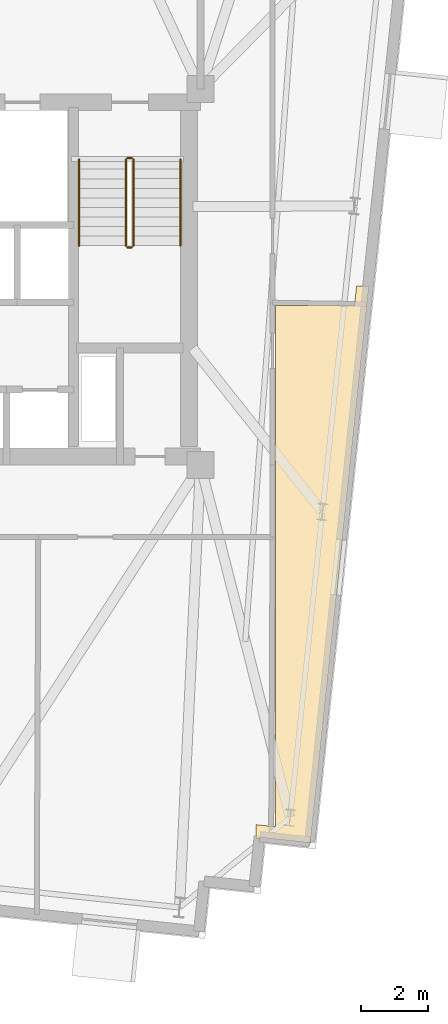
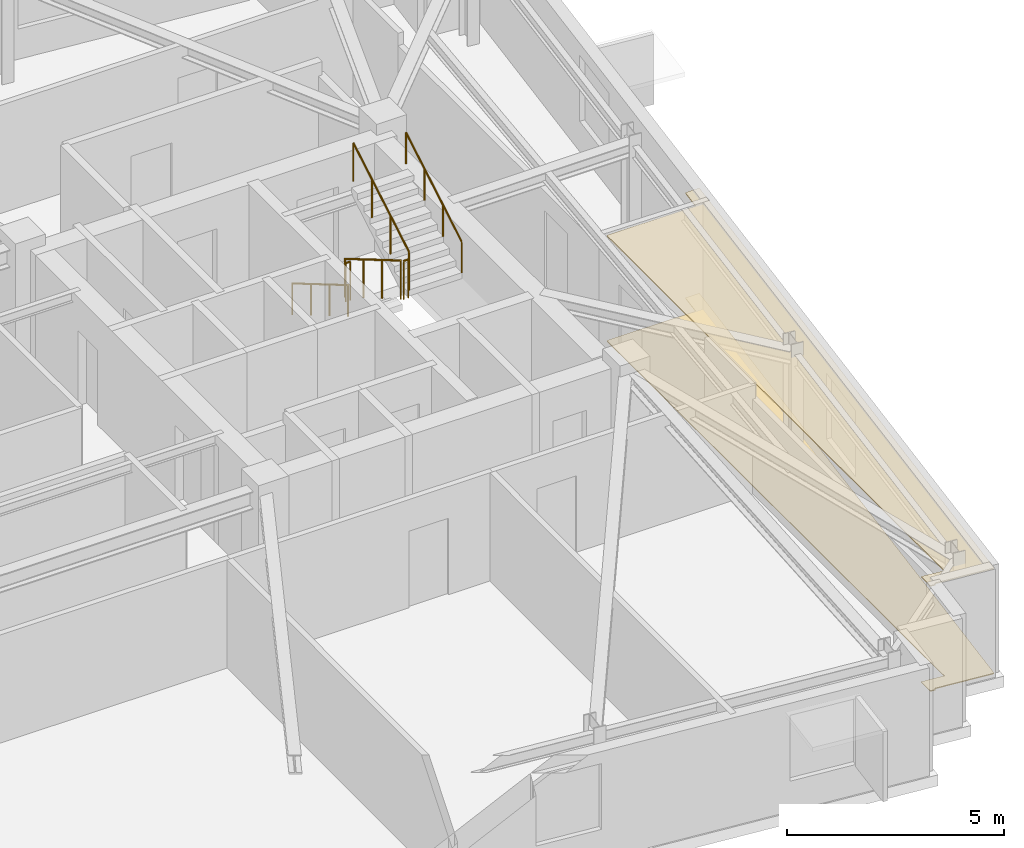
# One storey, part 12 of 13: 6 railings, 2 coverings.
"""IFC4 building model written with IfcOpenShell, lengths in metres."""

import ifcopenshell
import ifcopenshell.guid

model = None  # the IFC model being written
_history = None  # IfcOwnerHistory: only IFC2X3 demands one
_inside = {}  # id of a spatial element -> (the spatial element, [elements in it])
_under = {}  # id of a project, library or spatial element -> (it, [spatial elements below it])
_declared = {}  # id of a project -> (the project, [libraries it declares])
_typed = {}  # id of a type object -> (the type object, [elements of that type])
_made_of = {}  # id of a material, layer set ... -> (it, [elements and type objects made of it])


def new_model(schema):
    """Start an empty IFC model of exactly this schema.

    Asked for "IFC4X3", IfcOpenShell would pick the latest addendum, in which some entities
    have other attributes; the version numbers below select the first issue.
    IFC2X3 requires an IfcOwnerHistory on every rooted entity: one is made here for all.
    """
    global model, _history
    if schema == "IFC4X3":
        model = ifcopenshell.file(schema_version=(4, 3, 0, 0))
    else:
        model = ifcopenshell.file(schema=schema)
    _inside.clear()
    _under.clear()
    _declared.clear()
    _typed.clear()
    _made_of.clear()
    _history = None
    if model.schema == "IFC2X3":
        org = make("IfcOrganization", Name="unknown")
        user = make(
            "IfcPersonAndOrganization",
            ThePerson=make("IfcPerson", FamilyName="unknown"),
            TheOrganization=org,
        )
        app = make(
            "IfcApplication",
            ApplicationDeveloper=org,
            Version="unknown",
            ApplicationFullName="unknown",
            ApplicationIdentifier="unknown",
        )
        _history = make(
            "IfcOwnerHistory",
            OwningUser=user,
            OwningApplication=app,
            ChangeAction="ADDED",
            CreationDate=0,
        )
    return model


def make(cls, **values):
    """One entity of the class cls with the attributes given. An attribute that is None is left unset."""
    return model.create_entity(
        cls, **{name: value for name, value in values.items() if value is not None}
    )


def rooted(cls, **values):
    """An entity with a GlobalId (a new one), such as an element, a storey or a relation."""
    return make(cls, GlobalId=ifcopenshell.guid.new(), OwnerHistory=_history, **values)


def si_unit(unit_type, name, prefix=None):
    """IfcSIUnit, for example si_unit("LENGTHUNIT", "METRE", prefix="MILLI")."""
    return make("IfcSIUnit", UnitType=unit_type, Prefix=prefix, Name=name)


def assignment(units):
    """IfcUnitAssignment: the units of a project."""
    return None if units is None else make("IfcUnitAssignment", Units=units)


def point(xyz):
    """IfcCartesianPoint."""
    return None if xyz is None else make("IfcCartesianPoint", Coordinates=xyz)


def direction(xyz):
    """IfcDirection."""
    return None if xyz is None else make("IfcDirection", DirectionRatios=xyz)


def frame(location, z_axis=None, x_axis=None):
    """IfcAxis2Placement3D, a coordinate frame: its origin and axes. An axis left out is left unset."""
    return make(
        "IfcAxis2Placement3D",
        Location=point(location),
        Axis=direction(z_axis),
        RefDirection=direction(x_axis),
    )


def frame_2d(location, x_axis=None):
    """IfcAxis2Placement2D, a coordinate frame in the plane: its origin and x axis."""
    return make(
        "IfcAxis2Placement2D", Location=point(location), RefDirection=direction(x_axis)
    )


def origin():
    """The frame at (0, 0, 0) with its axes left unset."""
    return frame((0.0, 0.0, 0.0))


def origin_2d():
    """The frame at (0, 0) in the plane with its x axis left unset."""
    return frame_2d((0.0, 0.0))


def place(relative_to, where):
    """IfcLocalPlacement: puts the frame where relative to a parent placement (None: the world)."""
    return make(
        "IfcLocalPlacement", PlacementRelTo=relative_to, RelativePlacement=where
    )


def context(
    kind, dimensions, precision=None, world=None, true_north=None, identifier=None
):
    """IfcGeometricRepresentationContext, for example the 3D "Model" context."""
    return make(
        "IfcGeometricRepresentationContext",
        ContextIdentifier=identifier,
        ContextType=kind,
        CoordinateSpaceDimension=dimensions,
        Precision=precision,
        WorldCoordinateSystem=world,
        TrueNorth=true_north,
    )


def subcontext(parent, identifier, kind, view, scale=None):
    """IfcGeometricRepresentationSubContext, for example "Body" below "Model"."""
    return make(
        "IfcGeometricRepresentationSubContext",
        ContextIdentifier=identifier,
        ContextType=kind,
        ParentContext=parent,
        TargetScale=scale,
        TargetView=view,
    )


def project(units=None, contexts=None):
    """IfcProject with its units and contexts."""
    return rooted(
        "IfcProject",
        Name="project",
        RepresentationContexts=contexts,
        UnitsInContext=assignment(units),
    )


def spatial(cls, under=None, at=None, **own):
    """A site, building, storey or space (cls), placed at a placement, below another one or the project."""
    s = rooted(cls, ObjectPlacement=at, **own)
    if under is not None:
        _under.setdefault(under.id(), (under, []))[1].append(s)
    return s


def polyline(points):
    """IfcPolyline through the points."""
    return make("IfcPolyline", Points=[point(p) for p in points])


def profile(cls, at=None, kind="AREA", **sizes):
    """A parametric profile (cls). Its sizes go by their IFC names, for example OverallWidth=200.0."""
    return make(cls, ProfileType=kind, Position=at, **sizes)


def circle(**sizes):
    """IfcCircleProfileDef."""
    return profile("IfcCircleProfileDef", **sizes)


def outline(outer, holes=None, kind="AREA"):
    """IfcArbitraryClosedProfileDef: a profile drawn as a closed curve; with holes, ...WithVoids."""
    if holes is None:
        return make("IfcArbitraryClosedProfileDef", ProfileType=kind, OuterCurve=outer)
    return make(
        "IfcArbitraryProfileDefWithVoids",
        ProfileType=kind,
        OuterCurve=outer,
        InnerCurves=holes,
    )


def extrude(swept, where, along, depth):
    """IfcExtrudedAreaSolid: the profile swept, set in the frame where, extruded along a direction by depth."""
    return make(
        "IfcExtrudedAreaSolid",
        SweptArea=swept,
        Position=where,
        ExtrudedDirection=direction(along),
        Depth=depth,
    )


def shape(context_of_items, identifier, shape_type, items):
    """IfcShapeRepresentation: the items that make up one representation, for example the "Body"."""
    return make(
        "IfcShapeRepresentation",
        ContextOfItems=context_of_items,
        RepresentationIdentifier=identifier,
        RepresentationType=shape_type,
        Items=items,
    )


def material(Name=None, Category=None):
    """IfcMaterial."""
    return make("IfcMaterial", Name=Name, Category=Category)


def layer(
    of_material, thickness, ventilated=None, Name=None, Category=None, Priority=None
):
    """IfcMaterialLayer: one layer of a wall or slab, of a material (None: an air gap)."""
    return make(
        "IfcMaterialLayer",
        Material=of_material,
        LayerThickness=thickness,
        IsVentilated=ventilated,
        Name=Name,
        Category=Category,
        Priority=Priority,
    )


def layer_set(layers, Name=None):
    """IfcMaterialLayerSet."""
    return make("IfcMaterialLayerSet", MaterialLayers=layers, LayerSetName=Name)


def made_of(thing, what):
    """Note that an element or type object is made of a material, layer set ...; save() writes the relation."""
    if what is not None:
        _made_of.setdefault(what.id(), (what, []))[1].append(thing)
    return thing


def type_object(cls, material=None, **own):
    """A type object (cls), such as IfcWallType, which elements share."""
    return made_of(rooted(cls, **own), material)


def element(
    cls,
    number,
    at=None,
    inside=None,
    cuts=None,
    type_object=None,
    material=None,
    context=None,
    identifier="Body",
    shape_type=None,
    held_by="IfcProductDefinitionShape",
    body=None,
    shapes=None,
    **own,
):
    """One element of the class cls, such as IfcWall. Its Tag is "e" and its number.

    at: its placement. inside: the storey or other place that contains it. cuts: it is an
    opening in that element (IfcRelVoidsElement). A single representation is given by context,
    identifier, shape_type and body (its items); several are given by shapes. held_by: the class
    of the entity that holds the representations. save() writes the other relations.
    """
    e = rooted(cls, Tag="e%d" % number, ObjectPlacement=at, **own)
    if body is not None:
        shapes = [shape(context, identifier, shape_type, body)]
    if shapes is not None:
        e.Representation = make(held_by, Representations=shapes)
    if inside is not None:
        _inside.setdefault(inside.id(), (inside, []))[1].append(e)
    if cuts is not None:
        rooted(
            "IfcRelVoidsElement", RelatingBuildingElement=cuts, RelatedOpeningElement=e
        )
    if type_object is not None:
        _typed.setdefault(type_object.id(), (type_object, []))[1].append(e)
    return made_of(e, material)


def aggregate(whole, parts):
    """IfcRelAggregates: a whole, such as a stair, and the parts it consists of."""
    return rooted("IfcRelAggregates", RelatingObject=whole, RelatedObjects=parts)


def save(model, path):
    """Write the relations noted so far, then the file.

    IfcRelAggregates (storeys below a building ...), IfcRelContainedInSpatialStructure (elements
    in a storey), IfcRelDefinesByType, IfcRelAssociatesMaterial and IfcRelDeclares: one each for
    every whole, place, type object, material and project.
    """
    for whole, parts in _under.values():
        aggregate(whole, parts)
    for where, things in _inside.values():
        rooted(
            "IfcRelContainedInSpatialStructure",
            RelatedElements=things,
            RelatingStructure=where,
        )
    for kind, things in _typed.values():
        rooted("IfcRelDefinesByType", RelatedObjects=things, RelatingType=kind)
    for what, things in _made_of.values():
        rooted("IfcRelAssociatesMaterial", RelatedObjects=things, RelatingMaterial=what)
    for by, libraries in _declared.values():
        rooted("IfcRelDeclares", RelatingContext=by, RelatedDefinitions=libraries)
    model.write(path)


model = new_model("IFC4")

# Units and contexts
model_context = context("Model", 3, precision=1e-05, world=origin(), true_north=direction((0.0, 1.0)))
body_context = subcontext(model_context, "Body", "Model", "MODEL_VIEW")
ifc_project = project(units=[si_unit("LENGTHUNIT", "METRE"), si_unit("AREAUNIT", "SQUARE_METRE"), si_unit("VOLUMEUNIT", "CUBIC_METRE"), si_unit("PLANEANGLEUNIT", "RADIAN"), si_unit("MASSUNIT", "GRAM", prefix="KILO")], contexts=[model_context])

# Site, building, storey
site_placement = place(None, origin())
site = spatial("IfcSite", under=ifc_project, at=site_placement, CompositionType="ELEMENT")
building_placement = place(site_placement, origin())
building = spatial("IfcBuilding", under=site, at=building_placement, Name="Qobustan Lattice House", CompositionType="ELEMENT")
storey_placement = place(building_placement, frame((0.0, 0.0, 199.75)))
storey = spatial("IfcBuildingStorey", under=building, at=storey_placement, Name="L56", CompositionType="ELEMENT", Elevation=199.75)

# Coverings
ifc_material_1 = material(Name="Perforated gypsum acoustic ceiling", Category="gypsum")
ifc_layer_1 = layer(ifc_material_1, 0.030029296875)
ifc_layer_set_1 = layer_set([ifc_layer_1], Name="Perforated gypsum acoustic ceiling")
covering_type_1 = type_object("IfcCoveringType", Name="COV-ACOUSTIC-CEIL", PredefinedType="CEILING", material=ifc_layer_set_1)
covering_1_placement = place(storey_placement, frame((0.0, 0.0, 2.949951171875)))
element("IfcCovering", 1, at=covering_1_placement, inside=storey, type_object=covering_type_1, Name="L56 Fellows reading room acoustic ceiling", PredefinedType="CEILING", context=body_context, shape_type="SweptSolid", body=[
    extrude(outline(polyline([(21.030029296875, -16.37890625), (20.449951171875, -16.318115234375), (20.449951171875, -16.740478515625), (20.58251953125, -16.75439453125), (20.587890625, -16.70458984375), (22.07958984375, -16.861328125), (23.82421875, -0.26318359375), (23.4521484375, -0.26318359375), (23.39111328125, -0.84326171875), (21.030029296875, -0.84326171875), (21.030029296875, -16.37890625)])), origin(), (0.0, 0.0, 1.0), 0.030029296875),
])
ifc_material_2 = material(Name="Honed Absheron stone terrazzo flooring", Category="masonry")
ifc_layer_2 = layer(ifc_material_2, 0.02490234375)
ifc_layer_set_2 = layer_set([ifc_layer_2], Name="Honed Absheron stone terrazzo flooring")
covering_type_2 = type_object("IfcCoveringType", Name="COV-TERRAZZO-FLR", PredefinedType="FLOORING", material=ifc_layer_set_2)
covering_2_placement = place(storey_placement, origin())
element("IfcCovering", 2, at=covering_2_placement, inside=storey, type_object=covering_type_2, Name="L56 Fellows reading room stone terrazzo flooring", PredefinedType="FLOORING", context=body_context, shape_type="SweptSolid", body=[
    extrude(outline(polyline([(21.030029296875, -16.37890625), (20.449951171875, -16.318115234375), (20.449951171875, -16.740478515625), (20.58251953125, -16.75439453125), (20.587890625, -16.70458984375), (22.07958984375, -16.861328125), (23.82421875, -0.26318359375), (23.4521484375, -0.26318359375), (23.39111328125, -0.84326171875), (21.030029296875, -0.84326171875), (21.030029296875, -16.37890625)])), origin(), (0.0, 0.0, 1.0), 0.02490234375),
])

# Railings
ifc_material_3 = material(Name="Brushed stainless steel handrail", Category="steel")
railing_type_1 = type_object("IfcRailingType", Name="RAL-HR-920", PredefinedType="HANDRAIL", material=ifc_material_3)
railing_1_placement = place(storey_placement, frame((15.179931640625, 3.5, 0.16748046875)))
element("IfcRailing", 3, at=railing_1_placement, inside=storey, type_object=railing_type_1, Name="L56 ST-E1 stair handrail 1", PredefinedType="HANDRAIL", context=body_context, shape_type="SweptSolid", body=[
    extrude(circle(Radius=0.02392578125, at=origin_2d()), frame((0.0, 0.0, 0.8759765625), z_axis=(0.0, -0.862113467892, 0.50671527358), x_axis=(1.0, 0.0, 0.0)), (0.0, 0.0, 1.0), 2.97509765625),
    extrude(circle(Radius=0.02099609375, at=origin_2d()), origin(), (0.0, 0.0, 1.0), 0.851806640625),
    extrude(circle(Radius=0.02099609375, at=origin_2d()), frame((0.0, -0.85498046875, 0.50244140625)), (0.0, 0.0, 1.0), 0.851806640625),
    extrude(circle(Radius=0.02099609375, at=origin_2d()), frame((0.0, -1.7099609375, 1.005126953125)), (0.0, 0.0, 1.0), 0.851806640625),
    extrude(circle(Radius=0.02099609375, at=origin_2d()), frame((0.0, -2.56494140625, 1.507568359375)), (0.0, 0.0, 1.0), 0.851806640625),
])
railing_2_placement = place(storey_placement, frame((18.199951171875, 0.93505859375, 1.842529296875)))
element("IfcRailing", 4, at=railing_2_placement, inside=storey, type_object=railing_type_1, Name="L56 ST-E1 stair handrail 2", PredefinedType="HANDRAIL", context=body_context, shape_type="SweptSolid", body=[
    extrude(circle(Radius=0.02392578125, at=origin_2d()), frame((0.0, 0.0, 0.8759765625), z_axis=(0.0, 0.862113467892, 0.50671527358), x_axis=(-1.0, 0.0, 0.0)), (0.0, 0.0, 1.0), 2.97509765625),
    extrude(circle(Radius=0.02099609375, at=origin_2d()), origin(), (0.0, 0.0, 1.0), 0.851806640625),
    extrude(circle(Radius=0.02099609375, at=origin_2d()), frame((0.0, 0.85498046875, 0.50244140625)), (0.0, 0.0, 1.0), 0.851806640625),
    extrude(circle(Radius=0.02099609375, at=origin_2d()), frame((0.0, 1.7099609375, 1.005126953125)), (0.0, 0.0, 1.0), 0.851806640625),
    extrude(circle(Radius=0.02099609375, at=origin_2d()), frame((0.0, 2.56494140625, 1.507568359375)), (0.0, 0.0, 1.0), 0.851806640625),
])
ifc_material_4 = material(Name="Painted galvanized steel guardrail", Category="steel")
railing_type_2 = type_object("IfcRailingType", Name="RAL-STG-1150", PredefinedType="GUARDRAIL", material=ifc_material_4)
railing_3_placement = place(storey_placement, frame((16.580078125, 3.5, 0.16748046875)))
element("IfcRailing", 5, at=railing_3_placement, inside=storey, type_object=railing_type_2, Name="L56 ST-E1 stair guard 1", PredefinedType="GUARDRAIL", context=body_context, shape_type="SweptSolid", body=[
    extrude(circle(Radius=0.02392578125, at=origin_2d()), frame((0.0, 0.0, 1.076171875), z_axis=(0.0, -0.862113467892, 0.50671527358), x_axis=(1.0, 0.0, 0.0)), (0.0, 0.0, 1.0), 2.97509765625),
    extrude(circle(Radius=0.02099609375, at=origin_2d()), origin(), (0.0, 0.0, 1.0), 1.052001953125),
    extrude(circle(Radius=0.02099609375, at=origin_2d()), frame((0.0, -0.85498046875, 0.50244140625)), (0.0, 0.0, 1.0), 1.052001953125),
    extrude(circle(Radius=0.02099609375, at=origin_2d()), frame((0.0, -1.7099609375, 1.005126953125)), (0.0, 0.0, 1.0), 1.052001953125),
    extrude(circle(Radius=0.02099609375, at=origin_2d()), frame((0.0, -2.56494140625, 1.507568359375)), (0.0, 0.0, 1.0), 1.052001953125),
])
railing_4_placement = place(storey_placement, frame((16.6298828125, 0.885009765625, 1.675048828125)))
element("IfcRailing", 6, at=railing_4_placement, inside=storey, type_object=railing_type_2, Name="L56 ST-E1 stair guard 2", PredefinedType="GUARDRAIL", context=body_context, shape_type="SweptSolid", body=[
    extrude(circle(Radius=0.02392578125, at=origin_2d()), frame((0.0, 0.0, 1.076171875), z_axis=(1.0, 0.0, 0.0), x_axis=(0.0, 1.0, 0.0)), (0.0, 0.0, 1.0), 0.1201171875),
    extrude(circle(Radius=0.02099609375, at=origin_2d()), origin(), (0.0, 0.0, 1.0), 1.052001953125),
    extrude(circle(Radius=0.02099609375, at=origin_2d()), frame((0.1201171875, 0.0, 0.0)), (0.0, 0.0, 1.0), 1.052001953125),
])
railing_5_placement = place(storey_placement, frame((16.800048828125, 0.93505859375, 1.842529296875)))
element("IfcRailing", 7, at=railing_5_placement, inside=storey, type_object=railing_type_2, Name="L56 ST-E1 stair guard 3", PredefinedType="GUARDRAIL", context=body_context, shape_type="SweptSolid", body=[
    extrude(circle(Radius=0.02392578125, at=origin_2d()), frame((0.0, 0.0, 1.076171875), z_axis=(0.0, 0.862113467892, 0.50671527358), x_axis=(-1.0, 0.0, 0.0)), (0.0, 0.0, 1.0), 2.97509765625),
    extrude(circle(Radius=0.02099609375, at=origin_2d()), origin(), (0.0, 0.0, 1.0), 1.052001953125),
    extrude(circle(Radius=0.02099609375, at=origin_2d()), frame((0.0, 0.85498046875, 0.50244140625)), (0.0, 0.0, 1.0), 1.052001953125),
    extrude(circle(Radius=0.02099609375, at=origin_2d()), frame((0.0, 1.7099609375, 1.005126953125)), (0.0, 0.0, 1.0), 1.052001953125),
    extrude(circle(Radius=0.02099609375, at=origin_2d()), frame((0.0, 2.56494140625, 1.507568359375)), (0.0, 0.0, 1.0), 1.052001953125),
])
railing_6_placement = place(storey_placement, frame((16.6298828125, 3.550048828125, 0.0)))
element("IfcRailing", 8, at=railing_6_placement, inside=storey, type_object=railing_type_2, Name="L56 ST-E1 stair guard 4", PredefinedType="GUARDRAIL", context=body_context, shape_type="SweptSolid", body=[
    extrude(circle(Radius=0.02392578125, at=origin_2d()), frame((0.0, 0.0, 1.076171875), z_axis=(1.0, 0.0, 0.0), x_axis=(0.0, 1.0, 0.0)), (0.0, 0.0, 1.0), 0.1201171875),
    extrude(circle(Radius=0.02099609375, at=origin_2d()), origin(), (0.0, 0.0, 1.0), 1.052001953125),
    extrude(circle(Radius=0.02099609375, at=origin_2d()), frame((0.1201171875, 0.0, 0.0)), (0.0, 0.0, 1.0), 1.052001953125),
])

save(model, "model.ifc")
